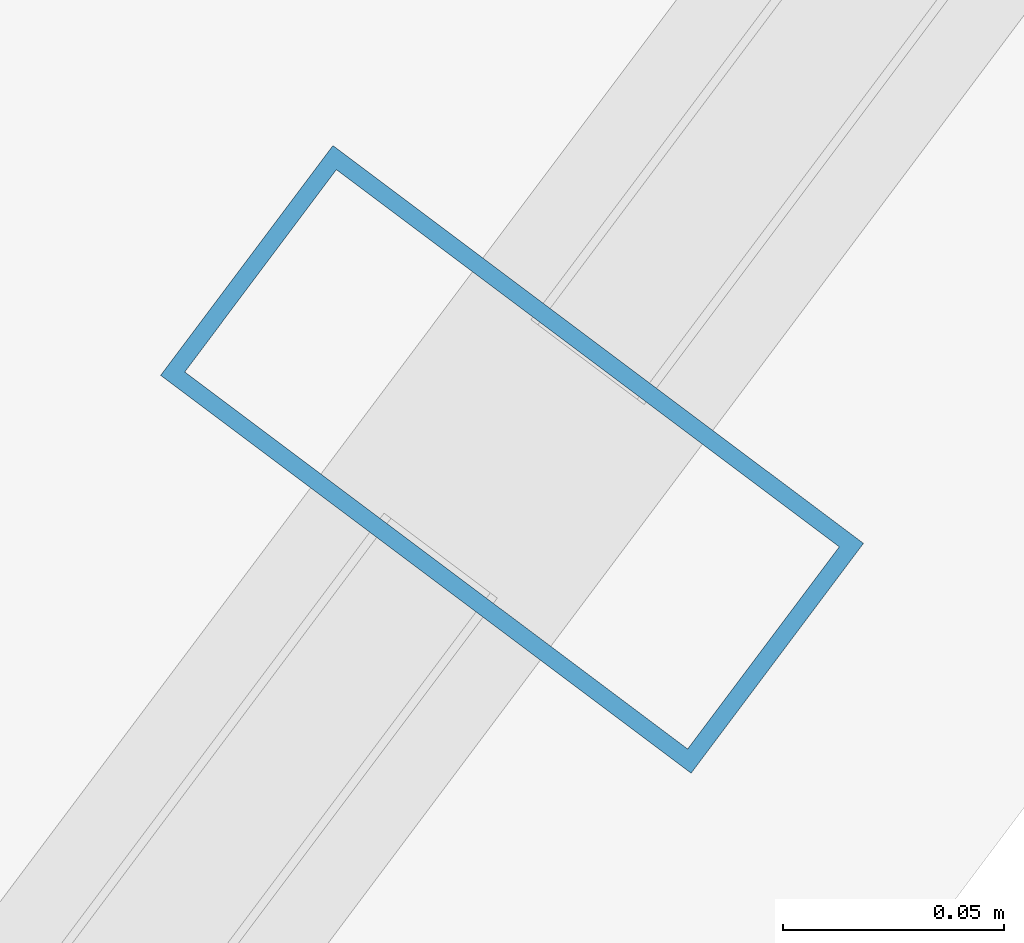
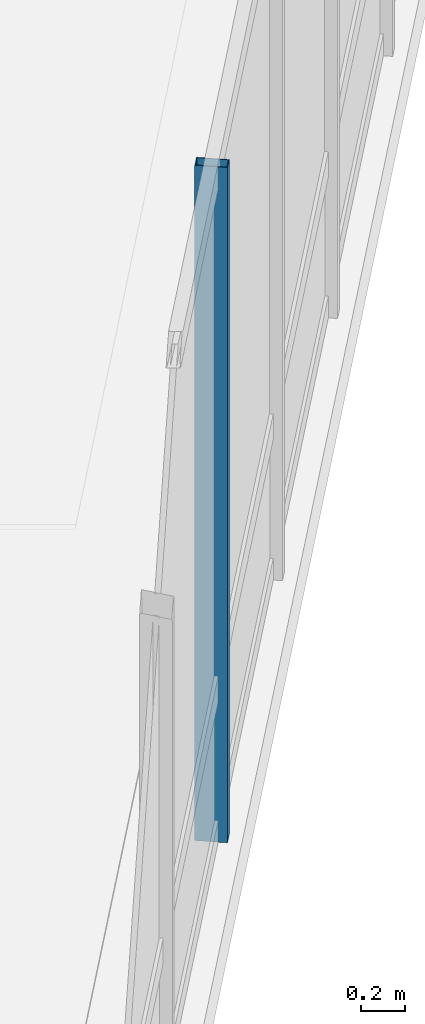
# One storey, part 9 of 31: 1 member, 1 element without a shape of its own.
"""IFC4 building model written with IfcOpenShell, lengths in metres."""

from ifc_helpers import new_model, si_unit, direction, frame, origin, origin_2d, place, context, subcontext, project, spatial, hollow_rectangle, extrude, material, layer, layer_set, material_profile, profile_set, type_object, element, aggregate, save


model = new_model("IFC4")

# Units and contexts
model_context = context("Model", 3, precision=1e-05, world=origin(), true_north=direction((0.0, 1.0)))
body_context = subcontext(model_context, "Body", "Model", "MODEL_VIEW")
ifc_project = project(units=[si_unit("LENGTHUNIT", "METRE"), si_unit("AREAUNIT", "SQUARE_METRE"), si_unit("VOLUMEUNIT", "CUBIC_METRE"), si_unit("PLANEANGLEUNIT", "RADIAN"), si_unit("MASSUNIT", "GRAM", prefix="KILO")], contexts=[model_context])

# Site, building, storey
site_placement = place(None, origin())
site = spatial("IfcSite", under=ifc_project, at=site_placement, CompositionType="ELEMENT")
building_placement = place(site_placement, origin())
building = spatial("IfcBuilding", under=site, at=building_placement, Name="Hatsunagi Terrace Concourse", CompositionType="ELEMENT")
storey_placement = place(building_placement, frame((0.0, 0.0, 269.949951171875)))
storey = spatial("IfcBuildingStorey", under=building, at=storey_placement, Name="L71", CompositionType="ELEMENT", Elevation=269.949951171875)

# Curtain wall, member
ifc_material_1 = material(Name="Anodised Aluminium Alloy 6063-T5", Category="aluminium")
ifc_layer = layer(ifc_material_1, 0.199951171875)
ifc_layer_set = layer_set([ifc_layer], Name="CrownWintergarden_CW06")
curtain_wall_type = type_object("IfcCurtainWallType", Name="CrownWintergarden_CW06", PredefinedType="NOTDEFINED", material=ifc_layer_set)
curtain_wall_placement = place(storey_placement, origin())
curtain_wall = element("IfcCurtainWall", 1, at=curtain_wall_placement, inside=storey, type_object=curtain_wall_type, Name="Unitised Curtain Wall CW-06 CW-L71-03", PredefinedType="NOTDEFINED")
ifc_material_2 = material(Name="Anodised Aluminium Alloy 6063-T5", Category="aluminium")
ifc_material_profile = material_profile(ifc_material_2, hollow_rectangle(XDim=0.06494140625, YDim=0.14990234375, WallThickness=0.00390625, at=origin_2d()), Name="ALU-MUL-150x65x4")
ifc_profile_set = profile_set([ifc_material_profile], Name="Anodised Aluminium Alloy 6063-T5")
member_type = type_object("IfcMemberType", Name="CurtainWallMullion_Crown_150x65", PredefinedType="MULLION", material=ifc_profile_set)
member_placement = place(storey_placement, frame((47.22802734375, 23.00390625, 0.0), z_axis=(0.0, 0.0, 1.0), x_axis=(-0.599969314634, -0.800023013105, 0.0)))
member = element("IfcMember", 2, at=member_placement, type_object=member_type, Name="Curtain Wall Mullion MUL-03", PredefinedType="MULLION", context=body_context, shape_type="SweptSolid", body=[
    extrude(hollow_rectangle(XDim=0.06494140625, YDim=0.14990234375, WallThickness=0.00390625, at=origin_2d()), origin(), (0.0, 0.0, 1.0), 3.739990234375),
])
aggregate(curtain_wall, [member])

save(model, "model.ifc")
